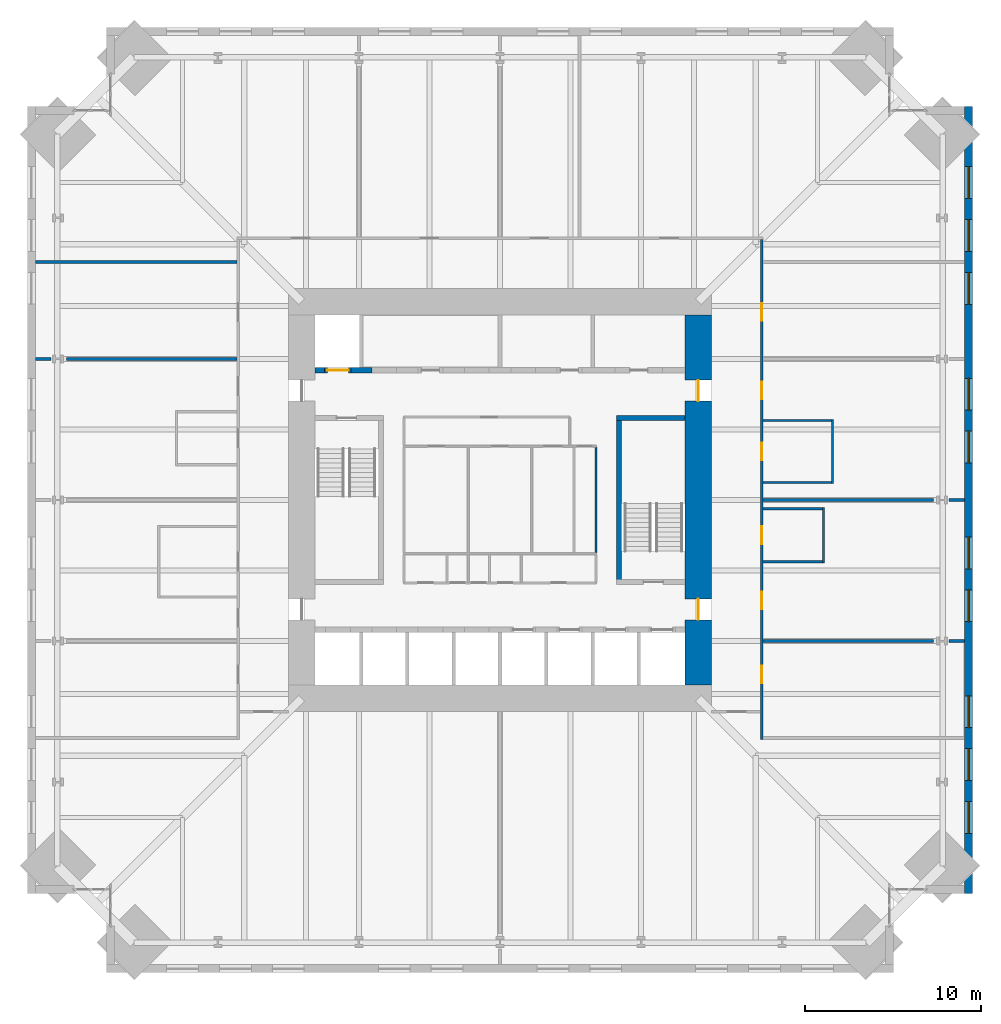
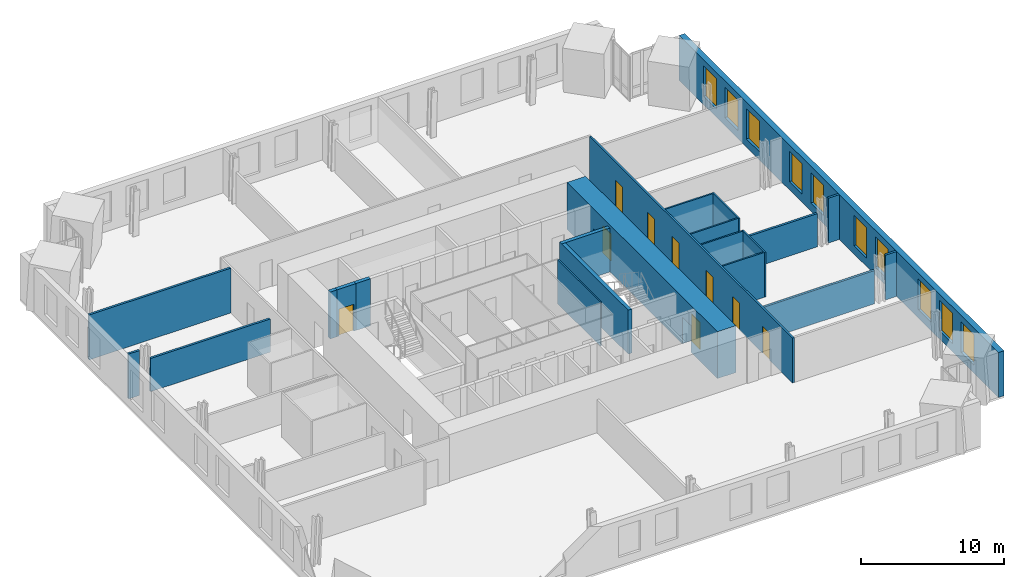
# One storey, part 14 of 17: 22 walls, 10 windows, 9 doors, 19 openings.
"""IFC4 building model written with IfcOpenShell, lengths in metres."""

from ifc_helpers import new_model, si_unit, direction, frame, frame_2d, origin, place, context, subcontext, project, spatial, rectangle, extrude, material, layer, layer_set, type_object, element, fill, save


model = new_model("IFC4")

# Units and contexts
model_context = context("Model", 3, precision=1e-05, world=origin(), true_north=direction((0.0, 1.0)))
body_context = subcontext(model_context, "Body", "Model", "MODEL_VIEW")
ifc_project = project(units=[si_unit("LENGTHUNIT", "METRE"), si_unit("AREAUNIT", "SQUARE_METRE"), si_unit("VOLUMEUNIT", "CUBIC_METRE"), si_unit("PLANEANGLEUNIT", "RADIAN"), si_unit("MASSUNIT", "GRAM", prefix="KILO")], contexts=[model_context])

# Site, building, storey
site_placement = place(None, origin())
site = spatial("IfcSite", under=ifc_project, at=site_placement, CompositionType="ELEMENT")
building_placement = place(site_placement, origin())
building = spatial("IfcBuilding", under=site, at=building_placement, Name="Peilmerk Tower", CompositionType="ELEMENT")
storey_placement = place(building_placement, frame((0.0, 0.0, 143.800048828125)))
storey = spatial("IfcBuildingStorey", under=building, at=storey_placement, Name="L29", CompositionType="ELEMENT", Elevation=143.800048828125)

# Wall, openings, windows
ifc_material_1 = material(Name="Precast concrete C45/55, board-marked finish", Category="concrete")
ifc_layer_1 = layer(ifc_material_1, 0.449951171875)
ifc_layer_set_1 = layer_set([ifc_layer_1], Name="Precast concrete C45/55, board-marked finish")
wall_type_1 = type_object("IfcWallType", Name="EW1 450 precast concrete facade wall, board-marked", PredefinedType="SOLIDWALL", material=ifc_layer_set_1)
wall_1_placement = place(storey_placement, frame((26.574951171875, -22.300048828125, 0.0), z_axis=(0.0, 0.0, 1.0), x_axis=(0.0, 1.0, 0.0)))
wall_1 = element("IfcWall", 1, at=wall_1_placement, inside=storey, type_object=wall_type_1, Name="Facade wall E L29", PredefinedType="SOLIDWALL", context=body_context, shape_type="SweptSolid", body=[
    extrude(rectangle(XDim=44.60009765625, YDim=0.449951171875, at=frame_2d((22.300048828125, 0.0))), origin(), (0.0, 0.0, 1.0), 3.829833984375),
])
opening_1_placement = place(wall_1_placement, frame((3.39990234375, 0.0, 0.699951171875)))
opening_1 = element("IfcOpeningElement", 2, at=opening_1_placement, cuts=wall_1, Name="Opening W1", PredefinedType="OPENING", context=body_context, shape_type="SweptSolid", body=[
    extrude(rectangle(XDim=1.800048828125, YDim=2.60009765625, at=frame_2d((0.89990234375, 1.300048828125))), frame((0.0, 0.23486328125, 0.0), z_axis=(0.0, -1.0, 0.0), x_axis=(1.0, 0.0, 0.0)), (0.0, 0.0, 1.0), 0.469970703125),
])
opening_2_placement = place(wall_1_placement, frame((6.39990234375, 0.0, 0.699951171875)))
opening_2 = element("IfcOpeningElement", 3, at=opening_2_placement, cuts=wall_1, Name="Opening W1", PredefinedType="OPENING", context=body_context, shape_type="SweptSolid", body=[
    extrude(rectangle(XDim=1.800048828125, YDim=2.60009765625, at=frame_2d((0.89990234375, 1.300048828125))), frame((0.0, 0.23486328125, 0.0), z_axis=(0.0, -1.0, 0.0), x_axis=(1.0, 0.0, 0.0)), (0.0, 0.0, 1.0), 0.469970703125),
])
opening_3_placement = place(wall_1_placement, frame((9.39990234375, 0.0, 0.699951171875)))
opening_3 = element("IfcOpeningElement", 4, at=opening_3_placement, cuts=wall_1, Name="Opening W1", PredefinedType="OPENING", context=body_context, shape_type="SweptSolid", body=[
    extrude(rectangle(XDim=1.800048828125, YDim=2.60009765625, at=frame_2d((0.89990234375, 1.300048828125))), frame((0.0, 0.23486328125, 0.0), z_axis=(0.0, -1.0, 0.0), x_axis=(1.0, 0.0, 0.0)), (0.0, 0.0, 1.0), 0.469970703125),
])
opening_4_placement = place(wall_1_placement, frame((15.39990234375, 0.0, 0.699951171875)))
opening_4 = element("IfcOpeningElement", 5, at=opening_4_placement, cuts=wall_1, Name="Opening W1", PredefinedType="OPENING", context=body_context, shape_type="SweptSolid", body=[
    extrude(rectangle(XDim=1.800048828125, YDim=2.60009765625, at=frame_2d((0.89990234375, 1.300048828125))), frame((0.0, 0.23486328125, 0.0), z_axis=(0.0, -1.0, 0.0), x_axis=(1.0, 0.0, 0.0)), (0.0, 0.0, 1.0), 0.469970703125),
])
opening_5_placement = place(wall_1_placement, frame((18.39990234375, 0.0, 0.699951171875)))
opening_5 = element("IfcOpeningElement", 6, at=opening_5_placement, cuts=wall_1, Name="Opening W1", PredefinedType="OPENING", context=body_context, shape_type="SweptSolid", body=[
    extrude(rectangle(XDim=1.800048828125, YDim=2.60009765625, at=frame_2d((0.89990234375, 1.300048828125))), frame((0.0, 0.23486328125, 0.0), z_axis=(0.0, -1.0, 0.0), x_axis=(1.0, 0.0, 0.0)), (0.0, 0.0, 1.0), 0.469970703125),
])
opening_6_placement = place(wall_1_placement, frame((24.39990234375, 0.0, 0.699951171875)))
opening_6 = element("IfcOpeningElement", 7, at=opening_6_placement, cuts=wall_1, Name="Opening W1", PredefinedType="OPENING", context=body_context, shape_type="SweptSolid", body=[
    extrude(rectangle(XDim=1.800048828125, YDim=2.60009765625, at=frame_2d((0.89990234375, 1.300048828125))), frame((0.0, 0.23486328125, 0.0), z_axis=(0.0, -1.0, 0.0), x_axis=(1.0, 0.0, 0.0)), (0.0, 0.0, 1.0), 0.469970703125),
])
opening_7_placement = place(wall_1_placement, frame((27.39990234375, 0.0, 0.699951171875)))
opening_7 = element("IfcOpeningElement", 8, at=opening_7_placement, cuts=wall_1, Name="Opening W1", PredefinedType="OPENING", context=body_context, shape_type="SweptSolid", body=[
    extrude(rectangle(XDim=1.800048828125, YDim=2.60009765625, at=frame_2d((0.89990234375, 1.300048828125))), frame((0.0, 0.23486328125, 0.0), z_axis=(0.0, -1.0, 0.0), x_axis=(1.0, 0.0, 0.0)), (0.0, 0.0, 1.0), 0.469970703125),
])
opening_8_placement = place(wall_1_placement, frame((33.39990234375, 0.0, 0.699951171875)))
opening_8 = element("IfcOpeningElement", 9, at=opening_8_placement, cuts=wall_1, Name="Opening W1", PredefinedType="OPENING", context=body_context, shape_type="SweptSolid", body=[
    extrude(rectangle(XDim=1.800048828125, YDim=2.60009765625, at=frame_2d((0.89990234375, 1.300048828125))), frame((0.0, 0.23486328125, 0.0), z_axis=(0.0, -1.0, 0.0), x_axis=(1.0, 0.0, 0.0)), (0.0, 0.0, 1.0), 0.469970703125),
])
opening_9_placement = place(wall_1_placement, frame((36.39990234375, 0.0, 0.699951171875)))
opening_9 = element("IfcOpeningElement", 10, at=opening_9_placement, cuts=wall_1, Name="Opening W1", PredefinedType="OPENING", context=body_context, shape_type="SweptSolid", body=[
    extrude(rectangle(XDim=1.800048828125, YDim=2.60009765625, at=frame_2d((0.89990234375, 1.300048828125))), frame((0.0, 0.23486328125, 0.0), z_axis=(0.0, -1.0, 0.0), x_axis=(1.0, 0.0, 0.0)), (0.0, 0.0, 1.0), 0.469970703125),
])
opening_10_placement = place(wall_1_placement, frame((39.39990234375, 0.0, 0.699951171875)))
opening_10 = element("IfcOpeningElement", 11, at=opening_10_placement, cuts=wall_1, Name="Opening W1", PredefinedType="OPENING", context=body_context, shape_type="SweptSolid", body=[
    extrude(rectangle(XDim=1.800048828125, YDim=2.60009765625, at=frame_2d((0.89990234375, 1.300048828125))), frame((0.0, 0.23486328125, 0.0), z_axis=(0.0, -1.0, 0.0), x_axis=(1.0, 0.0, 0.0)), (0.0, 0.0, 1.0), 0.469970703125),
])
ifc_material_2 = material(Name="Aluminium frame, clear double glazing", Category="aluminium")
window_type = type_object("IfcWindowType", Name="W1 1800x2600 office window", PartitioningType="SINGLE_PANEL", PredefinedType="WINDOW", material=ifc_material_2)
window_1_placement = place(opening_1_placement, origin())
window_1 = element("IfcWindow", 12, at=window_1_placement, inside=storey, type_object=window_type, Name="Window W1 L29", OverallHeight=2.60009765625, OverallWidth=1.800048828125, PartitioningType="SINGLE_PANEL", PredefinedType="WINDOW", context=body_context, shape_type="SweptSolid", body=[
    extrude(rectangle(XDim=1.800048828125, YDim=2.60009765625, at=frame_2d((0.89990234375, 1.300048828125))), frame((0.0, 0.030029296875, 0.0), z_axis=(0.0, -1.0, 0.0), x_axis=(1.0, 0.0, 0.0)), (0.0, 0.0, 1.0), 0.06005859375),
])
fill(opening_1, window_1)
window_2_placement = place(opening_2_placement, origin())
window_2 = element("IfcWindow", 13, at=window_2_placement, inside=storey, type_object=window_type, Name="Window W1 L29", OverallHeight=2.60009765625, OverallWidth=1.800048828125, PartitioningType="SINGLE_PANEL", PredefinedType="WINDOW", context=body_context, shape_type="SweptSolid", body=[
    extrude(rectangle(XDim=1.800048828125, YDim=2.60009765625, at=frame_2d((0.89990234375, 1.300048828125))), frame((0.0, 0.030029296875, 0.0), z_axis=(0.0, -1.0, 0.0), x_axis=(1.0, 0.0, 0.0)), (0.0, 0.0, 1.0), 0.06005859375),
])
fill(opening_2, window_2)
window_3_placement = place(opening_3_placement, origin())
window_3 = element("IfcWindow", 14, at=window_3_placement, inside=storey, type_object=window_type, Name="Window W1 L29", OverallHeight=2.60009765625, OverallWidth=1.800048828125, PartitioningType="SINGLE_PANEL", PredefinedType="WINDOW", context=body_context, shape_type="SweptSolid", body=[
    extrude(rectangle(XDim=1.800048828125, YDim=2.60009765625, at=frame_2d((0.89990234375, 1.300048828125))), frame((0.0, 0.030029296875, 0.0), z_axis=(0.0, -1.0, 0.0), x_axis=(1.0, 0.0, 0.0)), (0.0, 0.0, 1.0), 0.06005859375),
])
fill(opening_3, window_3)
window_4_placement = place(opening_4_placement, origin())
window_4 = element("IfcWindow", 15, at=window_4_placement, inside=storey, type_object=window_type, Name="Window W1 L29", OverallHeight=2.60009765625, OverallWidth=1.800048828125, PartitioningType="SINGLE_PANEL", PredefinedType="WINDOW", context=body_context, shape_type="SweptSolid", body=[
    extrude(rectangle(XDim=1.800048828125, YDim=2.60009765625, at=frame_2d((0.89990234375, 1.300048828125))), frame((0.0, 0.030029296875, 0.0), z_axis=(0.0, -1.0, 0.0), x_axis=(1.0, 0.0, 0.0)), (0.0, 0.0, 1.0), 0.06005859375),
])
fill(opening_4, window_4)
window_5_placement = place(opening_5_placement, origin())
window_5 = element("IfcWindow", 16, at=window_5_placement, inside=storey, type_object=window_type, Name="Window W1 L29", OverallHeight=2.60009765625, OverallWidth=1.800048828125, PartitioningType="SINGLE_PANEL", PredefinedType="WINDOW", context=body_context, shape_type="SweptSolid", body=[
    extrude(rectangle(XDim=1.800048828125, YDim=2.60009765625, at=frame_2d((0.89990234375, 1.300048828125))), frame((0.0, 0.030029296875, 0.0), z_axis=(0.0, -1.0, 0.0), x_axis=(1.0, 0.0, 0.0)), (0.0, 0.0, 1.0), 0.06005859375),
])
fill(opening_5, window_5)
window_6_placement = place(opening_6_placement, origin())
window_6 = element("IfcWindow", 17, at=window_6_placement, inside=storey, type_object=window_type, Name="Window W1 L29", OverallHeight=2.60009765625, OverallWidth=1.800048828125, PartitioningType="SINGLE_PANEL", PredefinedType="WINDOW", context=body_context, shape_type="SweptSolid", body=[
    extrude(rectangle(XDim=1.800048828125, YDim=2.60009765625, at=frame_2d((0.89990234375, 1.300048828125))), frame((0.0, 0.030029296875, 0.0), z_axis=(0.0, -1.0, 0.0), x_axis=(1.0, 0.0, 0.0)), (0.0, 0.0, 1.0), 0.06005859375),
])
fill(opening_6, window_6)
window_7_placement = place(opening_7_placement, origin())
window_7 = element("IfcWindow", 18, at=window_7_placement, inside=storey, type_object=window_type, Name="Window W1 L29", OverallHeight=2.60009765625, OverallWidth=1.800048828125, PartitioningType="SINGLE_PANEL", PredefinedType="WINDOW", context=body_context, shape_type="SweptSolid", body=[
    extrude(rectangle(XDim=1.800048828125, YDim=2.60009765625, at=frame_2d((0.89990234375, 1.300048828125))), frame((0.0, 0.030029296875, 0.0), z_axis=(0.0, -1.0, 0.0), x_axis=(1.0, 0.0, 0.0)), (0.0, 0.0, 1.0), 0.06005859375),
])
fill(opening_7, window_7)
window_8_placement = place(opening_8_placement, origin())
window_8 = element("IfcWindow", 19, at=window_8_placement, inside=storey, type_object=window_type, Name="Window W1 L29", OverallHeight=2.60009765625, OverallWidth=1.800048828125, PartitioningType="SINGLE_PANEL", PredefinedType="WINDOW", context=body_context, shape_type="SweptSolid", body=[
    extrude(rectangle(XDim=1.800048828125, YDim=2.60009765625, at=frame_2d((0.89990234375, 1.300048828125))), frame((0.0, 0.030029296875, 0.0), z_axis=(0.0, -1.0, 0.0), x_axis=(1.0, 0.0, 0.0)), (0.0, 0.0, 1.0), 0.06005859375),
])
fill(opening_8, window_8)
window_9_placement = place(opening_9_placement, origin())
window_9 = element("IfcWindow", 20, at=window_9_placement, inside=storey, type_object=window_type, Name="Window W1 L29", OverallHeight=2.60009765625, OverallWidth=1.800048828125, PartitioningType="SINGLE_PANEL", PredefinedType="WINDOW", context=body_context, shape_type="SweptSolid", body=[
    extrude(rectangle(XDim=1.800048828125, YDim=2.60009765625, at=frame_2d((0.89990234375, 1.300048828125))), frame((0.0, 0.030029296875, 0.0), z_axis=(0.0, -1.0, 0.0), x_axis=(1.0, 0.0, 0.0)), (0.0, 0.0, 1.0), 0.06005859375),
])
fill(opening_9, window_9)
window_10_placement = place(opening_10_placement, origin())
window_10 = element("IfcWindow", 21, at=window_10_placement, inside=storey, type_object=window_type, Name="Window W1 L29", OverallHeight=2.60009765625, OverallWidth=1.800048828125, PartitioningType="SINGLE_PANEL", PredefinedType="WINDOW", context=body_context, shape_type="SweptSolid", body=[
    extrude(rectangle(XDim=1.800048828125, YDim=2.60009765625, at=frame_2d((0.89990234375, 1.300048828125))), frame((0.0, 0.030029296875, 0.0), z_axis=(0.0, -1.0, 0.0), x_axis=(1.0, 0.0, 0.0)), (0.0, 0.0, 1.0), 0.06005859375),
])
fill(opening_10, window_10)

# Wall, openings, doors
ifc_material_3 = material(Name="Calcium silicate block", Category="masonry")
ifc_layer_2 = layer(ifc_material_3, 0.14990234375)
ifc_layer_set_2 = layer_set([ifc_layer_2], Name="Calcium silicate block")
wall_type_2 = type_object("IfcWallType", Name="IW1 150 corridor partition, EI 60", PredefinedType="PARTITIONING", material=ifc_layer_set_2)
wall_2_placement = place(storey_placement, frame((14.85009765625, -13.574951171875, 0.0), z_axis=(0.0, 0.0, 1.0), x_axis=(0.0, 1.0, 0.0)))
wall_2 = element("IfcWall", 22, at=wall_2_placement, inside=storey, type_object=wall_type_2, Name="Corridor wall E L29", PredefinedType="PARTITIONING", context=body_context, shape_type="SweptSolid", body=[
    extrude(rectangle(XDim=28.349853515625, YDim=0.14990234375, at=frame_2d((14.1748046875, 0.0))), origin(), (0.0, 0.0, 1.0), 3.829833984375),
])
opening_11_placement = place(wall_2_placement, frame((3.175048828125, 0.0, 0.0)))
opening_11 = element("IfcOpeningElement", 23, at=opening_11_placement, cuts=wall_2, Name="Opening D1", PredefinedType="OPENING", context=body_context, shape_type="SweptSolid", body=[
    extrude(rectangle(XDim=1.0, YDim=2.300048828125, at=frame_2d((0.5, 1.14990234375))), frame((0.0, 0.0849609375, 0.0), z_axis=(0.0, -1.0, 0.0), x_axis=(1.0, 0.0, 0.0)), (0.0, 0.0, 1.0), 0.169921875),
])
opening_12_placement = place(wall_2_placement, frame((7.375, 0.0, 0.0)))
opening_12 = element("IfcOpeningElement", 24, at=opening_12_placement, cuts=wall_2, Name="Opening D1", PredefinedType="OPENING", context=body_context, shape_type="SweptSolid", body=[
    extrude(rectangle(XDim=1.0, YDim=2.300048828125, at=frame_2d((0.5, 1.14990234375))), frame((0.0, 0.0849609375, 0.0), z_axis=(0.0, -1.0, 0.0), x_axis=(1.0, 0.0, 0.0)), (0.0, 0.0, 1.0), 0.169921875),
])
opening_13_placement = place(wall_2_placement, frame((19.27490234375, 0.0, 0.0)))
opening_13 = element("IfcOpeningElement", 25, at=opening_13_placement, cuts=wall_2, Name="Opening D1", PredefinedType="OPENING", context=body_context, shape_type="SweptSolid", body=[
    extrude(rectangle(XDim=1.0, YDim=2.300048828125, at=frame_2d((0.5, 1.14990234375))), frame((0.0, 0.0849609375, 0.0), z_axis=(0.0, -1.0, 0.0), x_axis=(1.0, 0.0, 0.0)), (0.0, 0.0, 1.0), 0.169921875),
])
opening_14_placement = place(wall_2_placement, frame((23.72509765625, 0.0, 0.0)))
opening_14 = element("IfcOpeningElement", 26, at=opening_14_placement, cuts=wall_2, Name="Opening D1", PredefinedType="OPENING", context=body_context, shape_type="SweptSolid", body=[
    extrude(rectangle(XDim=1.0, YDim=2.300048828125, at=frame_2d((0.5, 1.14990234375))), frame((0.0, 0.0849609375, 0.0), z_axis=(0.0, -1.0, 0.0), x_axis=(1.0, 0.0, 0.0)), (0.0, 0.0, 1.0), 0.169921875),
])
opening_15_placement = place(wall_2_placement, frame((15.824951171875, 0.0, 0.0)))
opening_15 = element("IfcOpeningElement", 27, at=opening_15_placement, cuts=wall_2, Name="Opening D1", PredefinedType="OPENING", context=body_context, shape_type="SweptSolid", body=[
    extrude(rectangle(XDim=1.0, YDim=2.300048828125, at=frame_2d((0.5, 1.14990234375))), frame((0.0, 0.0849609375, 0.0), z_axis=(0.0, -1.0, 0.0), x_axis=(1.0, 0.0, 0.0)), (0.0, 0.0, 1.0), 0.169921875),
])
opening_16_placement = place(wall_2_placement, frame((11.074951171875, 0.0, 0.0)))
opening_16 = element("IfcOpeningElement", 28, at=opening_16_placement, cuts=wall_2, Name="Opening D1", PredefinedType="OPENING", context=body_context, shape_type="SweptSolid", body=[
    extrude(rectangle(XDim=1.0, YDim=2.300048828125, at=frame_2d((0.5, 1.14990234375))), frame((0.0, 0.0849609375, 0.0), z_axis=(0.0, -1.0, 0.0), x_axis=(1.0, 0.0, 0.0)), (0.0, 0.0, 1.0), 0.169921875),
])
ifc_material_4 = material(Name="Timber door in steel frame", Category="steel")
door_type_1 = type_object("IfcDoorType", Name="D1 1000x2300 room door, EI2 30", OperationType="SINGLE_SWING_LEFT", PredefinedType="DOOR", material=ifc_material_4)
door_1_placement = place(opening_11_placement, frame((1.0, 0.0, 0.0), z_axis=(0.0, 0.0, 1.0), x_axis=(-1.0, 0.0, 0.0)))
door_1 = element("IfcDoor", 29, at=door_1_placement, inside=storey, type_object=door_type_1, Name="Door Project room L29", OperationType="SINGLE_SWING_LEFT", OverallHeight=2.300048828125, OverallWidth=1.0, PredefinedType="DOOR", context=body_context, shape_type="SweptSolid", body=[
    extrude(rectangle(XDim=1.0, YDim=2.300048828125, at=frame_2d((0.5, 1.14990234375))), frame((0.0, 0.02490234375, 0.0), z_axis=(0.0, -1.0, 0.0), x_axis=(1.0, 0.0, 0.0)), (0.0, 0.0, 1.0), 0.050048828125),
])
fill(opening_11, door_1)
door_2_placement = place(opening_12_placement, frame((1.0, 0.0, 0.0), z_axis=(0.0, 0.0, 1.0), x_axis=(-1.0, 0.0, 0.0)))
door_2 = element("IfcDoor", 30, at=door_2_placement, inside=storey, type_object=door_type_1, Name="Door Team workspace L29", OperationType="SINGLE_SWING_LEFT", OverallHeight=2.300048828125, OverallWidth=1.0, PredefinedType="DOOR", context=body_context, shape_type="SweptSolid", body=[
    extrude(rectangle(XDim=1.0, YDim=2.300048828125, at=frame_2d((0.5, 1.14990234375))), frame((0.0, 0.02490234375, 0.0), z_axis=(0.0, -1.0, 0.0), x_axis=(1.0, 0.0, 0.0)), (0.0, 0.0, 1.0), 0.050048828125),
])
fill(opening_12, door_2)
door_3_placement = place(opening_13_placement, frame((1.0, 0.0, 0.0), z_axis=(0.0, 0.0, 1.0), x_axis=(-1.0, 0.0, 0.0)))
door_3 = element("IfcDoor", 31, at=door_3_placement, inside=storey, type_object=door_type_1, Name="Door Team workspace L29", OperationType="SINGLE_SWING_LEFT", OverallHeight=2.300048828125, OverallWidth=1.0, PredefinedType="DOOR", context=body_context, shape_type="SweptSolid", body=[
    extrude(rectangle(XDim=1.0, YDim=2.300048828125, at=frame_2d((0.5, 1.14990234375))), frame((0.0, 0.02490234375, 0.0), z_axis=(0.0, -1.0, 0.0), x_axis=(1.0, 0.0, 0.0)), (0.0, 0.0, 1.0), 0.050048828125),
])
fill(opening_13, door_3)
door_4_placement = place(opening_14_placement, frame((1.0, 0.0, 0.0), z_axis=(0.0, 0.0, 1.0), x_axis=(-1.0, 0.0, 0.0)))
door_4 = element("IfcDoor", 32, at=door_4_placement, inside=storey, type_object=door_type_1, Name="Door Team workspace L29", OperationType="SINGLE_SWING_LEFT", OverallHeight=2.300048828125, OverallWidth=1.0, PredefinedType="DOOR", context=body_context, shape_type="SweptSolid", body=[
    extrude(rectangle(XDim=1.0, YDim=2.300048828125, at=frame_2d((0.5, 1.14990234375))), frame((0.0, 0.02490234375, 0.0), z_axis=(0.0, -1.0, 0.0), x_axis=(1.0, 0.0, 0.0)), (0.0, 0.0, 1.0), 0.050048828125),
])
fill(opening_14, door_4)
door_5_placement = place(opening_15_placement, frame((1.0, 0.0, 0.0), z_axis=(0.0, 0.0, 1.0), x_axis=(-1.0, 0.0, 0.0)))
door_5 = element("IfcDoor", 33, at=door_5_placement, inside=storey, type_object=door_type_1, Name="Door Pantry L29", OperationType="SINGLE_SWING_LEFT", OverallHeight=2.300048828125, OverallWidth=1.0, PredefinedType="DOOR", context=body_context, shape_type="SweptSolid", body=[
    extrude(rectangle(XDim=1.0, YDim=2.300048828125, at=frame_2d((0.5, 1.14990234375))), frame((0.0, 0.02490234375, 0.0), z_axis=(0.0, -1.0, 0.0), x_axis=(1.0, 0.0, 0.0)), (0.0, 0.0, 1.0), 0.050048828125),
])
fill(opening_15, door_5)
door_6_placement = place(opening_16_placement, frame((1.0, 0.0, 0.0), z_axis=(0.0, 0.0, 1.0), x_axis=(-1.0, 0.0, 0.0)))
door_6 = element("IfcDoor", 34, at=door_6_placement, inside=storey, type_object=door_type_1, Name="Door Focus room L29", OperationType="SINGLE_SWING_LEFT", OverallHeight=2.300048828125, OverallWidth=1.0, PredefinedType="DOOR", context=body_context, shape_type="SweptSolid", body=[
    extrude(rectangle(XDim=1.0, YDim=2.300048828125, at=frame_2d((0.5, 1.14990234375))), frame((0.0, 0.02490234375, 0.0), z_axis=(0.0, -1.0, 0.0), x_axis=(1.0, 0.0, 0.0)), (0.0, 0.0, 1.0), 0.050048828125),
])
fill(opening_16, door_6)

# Walls
ifc_material_5 = material(Name="Concrete C35/45", Category="concrete")
ifc_layer_3 = layer(ifc_material_5, 0.300048828125)
ifc_layer_set_3 = layer_set([ifc_layer_3], Name="Concrete C35/45")
wall_type_3 = type_object("IfcWallType", Name="IW3 300 concrete stair enclosure wall, EI 120", PredefinedType="SOLIDWALL", material=ifc_layer_set_3)
wall_3_placement = place(storey_placement, frame((6.75, -4.800048828125, 0.0), z_axis=(0.0, 0.0, 1.0), x_axis=(0.0, 1.0, 0.0)))
element("IfcWall", 35, at=wall_3_placement, inside=storey, type_object=wall_type_3, Name="Stair 2 enclosure L29", PredefinedType="SOLIDWALL", context=body_context, shape_type="SweptSolid", body=[
    extrude(rectangle(XDim=9.60009765625, YDim=0.300048828125, at=frame_2d((4.800048828125, 0.0))), origin(), (0.0, 0.0, 1.0), 3.75),
])
wall_4_placement = place(storey_placement, frame((6.60009765625, 4.64990234375, 0.0), z_axis=(0.0, 0.0, 1.0), x_axis=(1.0, 0.0, 0.0)))
element("IfcWall", 36, at=wall_4_placement, inside=storey, type_object=wall_type_3, Name="Stair 2 enclosure L29", PredefinedType="SOLIDWALL", context=body_context, shape_type="SweptSolid", body=[
    extrude(rectangle(XDim=3.89990234375, YDim=0.300048828125, at=frame_2d((1.949951171875, 0.0))), origin(), (0.0, 0.0, 1.0), 3.75),
])
ifc_material_6 = material(Name="Calcium silicate board on steel studs", Category="steel")
ifc_layer_4 = layer(ifc_material_6, 0.10009765625)
ifc_layer_set_4 = layer_set([ifc_layer_4], Name="Calcium silicate board on steel studs")
wall_type_4 = type_object("IfcWallType", Name="IW5 100 riser enclosure wall, EI 60", PredefinedType="PARTITIONING", material=ifc_layer_set_4)
wall_5_placement = place(storey_placement, frame((5.449951171875, 3.0, 0.0), z_axis=(0.0, 0.0, 1.0), x_axis=(0.0, -1.0, 0.0)))
element("IfcWall", 37, at=wall_5_placement, inside=storey, type_object=wall_type_4, Name="Riser wall L29", PredefinedType="PARTITIONING", context=body_context, shape_type="SweptSolid", body=[
    extrude(rectangle(XDim=6.0, YDim=0.10009765625, at=frame_2d((3.0, 0.0))), origin(), (0.0, 0.0, 1.0), 3.75),
])
ifc_material_7 = material(Name="Plasterboard on steel studs, double boarded with mineral wool", Category="steel")
ifc_layer_5 = layer(ifc_material_7, 0.125)
ifc_layer_set_5 = layer_set([ifc_layer_5], Name="Plasterboard on steel studs, double boarded with mineral wool")
wall_type_5 = type_object("IfcWallType", Name="IW7 125 acoustic partition, EI 30", PredefinedType="PARTITIONING", material=ifc_layer_set_5)
wall_6_placement = place(storey_placement, frame((18.85009765625, 0.9375, 0.0), z_axis=(0.0, 0.0, 1.0), x_axis=(0.0, 1.0, 0.0)))
element("IfcWall", 38, at=wall_6_placement, inside=storey, type_object=wall_type_5, Name="Acoustic partition Pantry L29", PredefinedType="PARTITIONING", context=body_context, shape_type="SweptSolid", body=[
    extrude(rectangle(XDim=3.625, YDim=0.125, at=frame_2d((1.8125, 0.0))), origin(), (0.0, 0.0, 1.0), 3.829833984375),
])
for number, where, z_axis, x_axis, name in (
    (39, (14.925048828125, 1.0, 0.0), (0.0, 0.0, 1.0), (1.0, 0.0, 0.0), "Acoustic partition Pantry L29"),
    (40, (14.925048828125, 4.5, 0.0), (0.0, 0.0, 1.0), (1.0, 0.0, 0.0), "Acoustic partition Pantry L29"),
):
    element("IfcWall", number, at=place(storey_placement, frame(where, z_axis=z_axis, x_axis=x_axis)), inside=storey, type_object=wall_type_5, Name=name, PredefinedType="PARTITIONING", context=body_context, shape_type="SweptSolid", body=[
        extrude(rectangle(XDim=3.862548828125, YDim=0.125, at=frame_2d((1.93115234375, 0.0))), origin(), (0.0, 0.0, 1.0), 3.829833984375),
    ])
wall_7_placement = place(storey_placement, frame((18.35009765625, -3.5625, 0.0), z_axis=(0.0, 0.0, 1.0), x_axis=(0.0, 1.0, 0.0)))
element("IfcWall", 41, at=wall_7_placement, inside=storey, type_object=wall_type_5, Name="Acoustic partition Focus room L29", PredefinedType="PARTITIONING", context=body_context, shape_type="SweptSolid", body=[
    extrude(rectangle(XDim=3.125, YDim=0.125, at=frame_2d((1.5625, 0.0))), origin(), (0.0, 0.0, 1.0), 3.829833984375),
])
for number, where, z_axis, x_axis, name in (
    (42, (14.925048828125, -3.5, 0.0), (0.0, 0.0, 1.0), (1.0, 0.0, 0.0), "Acoustic partition Focus room L29"),
    (43, (14.925048828125, -0.5, 0.0), (0.0, 0.0, 1.0), (1.0, 0.0, 0.0), "Acoustic partition Focus room L29"),
):
    element("IfcWall", number, at=place(storey_placement, frame(where, z_axis=z_axis, x_axis=x_axis)), inside=storey, type_object=wall_type_5, Name=name, PredefinedType="PARTITIONING", context=body_context, shape_type="SweptSolid", body=[
        extrude(rectangle(XDim=3.362548828125, YDim=0.125, at=frame_2d((1.68115234375, 0.0))), origin(), (0.0, 0.0, 1.0), 3.829833984375),
    ])
ifc_layer_6 = layer(ifc_material_3, 0.175048828125)
ifc_layer_set_6 = layer_set([ifc_layer_6], Name="Calcium silicate block")
wall_type_6 = type_object("IfcWallType", Name="IW8 175 tenant separating wall, EI 60", PredefinedType="PARTITIONING", material=ifc_layer_set_6)
wall_8_placement = place(storey_placement, frame((-26.35009765625, 13.5, 0.0), z_axis=(0.0, 0.0, 1.0), x_axis=(1.0, 0.0, 0.0)))
element("IfcWall", 44, at=wall_8_placement, inside=storey, type_object=wall_type_6, Name="Tenant separating wall NW L29", PredefinedType="PARTITIONING", context=body_context, shape_type="SweptSolid", body=[
    extrude(rectangle(XDim=11.425048828125, YDim=0.175048828125, at=frame_2d((5.71240234375, 0.0))), origin(), (0.0, 0.0, 1.0), 3.829833984375),
])
wall_9_placement = place(storey_placement, frame((14.925048828125, -8.0, 0.0), z_axis=(0.0, 0.0, 1.0), x_axis=(1.0, 0.0, 0.0)))
element("IfcWall", 45, at=wall_9_placement, inside=storey, type_object=wall_type_6, Name="Tenant separating wall E1 L29", PredefinedType="PARTITIONING", context=body_context, shape_type="SweptSolid", body=[
    extrude(rectangle(XDim=9.648193359375, YDim=0.175048828125, at=frame_2d((4.82421875, 0.0))), origin(), (0.0, 0.0, 1.0), 2.829833984375),
])
wall_10_placement = place(storey_placement, frame((25.46240234375, -8.0, 0.0), z_axis=(0.0, 0.0, 1.0), x_axis=(1.0, 0.0, 0.0)))
element("IfcWall", 46, at=wall_10_placement, inside=storey, type_object=wall_type_6, Name="Tenant separating wall E1b L29", PredefinedType="PARTITIONING", context=body_context, shape_type="SweptSolid", body=[
    extrude(rectangle(XDim=0.8876953125, YDim=0.175048828125, at=frame_2d((0.44384765625, 0.0))), origin(), (0.0, 0.0, 1.0), 3.829833984375),
])
wall_11_placement = place(storey_placement, frame((14.925048828125, 0.0, 0.0), z_axis=(0.0, 0.0, 1.0), x_axis=(1.0, 0.0, 0.0)))
element("IfcWall", 47, at=wall_11_placement, inside=storey, type_object=wall_type_6, Name="Tenant separating wall E2 L29", PredefinedType="PARTITIONING", context=body_context, shape_type="SweptSolid", body=[
    extrude(rectangle(XDim=9.648193359375, YDim=0.175048828125, at=frame_2d((4.82421875, 0.0))), origin(), (0.0, 0.0, 1.0), 2.829833984375),
])
wall_12_placement = place(storey_placement, frame((25.46240234375, 0.0, 0.0), z_axis=(0.0, 0.0, 1.0), x_axis=(1.0, 0.0, 0.0)))
element("IfcWall", 48, at=wall_12_placement, inside=storey, type_object=wall_type_6, Name="Tenant separating wall E2b L29", PredefinedType="PARTITIONING", context=body_context, shape_type="SweptSolid", body=[
    extrude(rectangle(XDim=0.8876953125, YDim=0.175048828125, at=frame_2d((0.44384765625, 0.0))), origin(), (0.0, 0.0, 1.0), 3.829833984375),
])
wall_13_placement = place(storey_placement, frame((-14.925048828125, 8.0, 0.0), z_axis=(0.0, 0.0, 1.0), x_axis=(-1.0, 0.0, 0.0)))
element("IfcWall", 49, at=wall_13_placement, inside=storey, type_object=wall_type_6, Name="Tenant separating wall W3 L29", PredefinedType="PARTITIONING", context=body_context, shape_type="SweptSolid", body=[
    extrude(rectangle(XDim=9.648193359375, YDim=0.175048828125, at=frame_2d((4.82421875, 0.0))), origin(), (0.0, 0.0, 1.0), 2.829833984375),
])
wall_14_placement = place(storey_placement, frame((-25.46240234375, 8.0, 0.0), z_axis=(0.0, 0.0, 1.0), x_axis=(-1.0, 0.0, 0.0)))
element("IfcWall", 50, at=wall_14_placement, inside=storey, type_object=wall_type_6, Name="Tenant separating wall W3b L29", PredefinedType="PARTITIONING", context=body_context, shape_type="SweptSolid", body=[
    extrude(rectangle(XDim=0.8876953125, YDim=0.175048828125, at=frame_2d((0.44384765625, 0.0))), origin(), (0.0, 0.0, 1.0), 3.829833984375),
])

# Wall, opening, door
ifc_layer_7 = layer(ifc_material_3, 0.300048828125)
ifc_layer_set_7 = layer_set([ifc_layer_7], Name="Calcium silicate block")
wall_type_7 = type_object("IfcWallType", Name="SH2 300 lift landing door panel, EI 120", PredefinedType="PARTITIONING", material=ifc_layer_set_7)
wall_15_placement = place(storey_placement, frame((-9.9375, 7.35009765625, 0.0), z_axis=(0.0, 0.0, 1.0), x_axis=(1.0, 0.0, 0.0)))
wall_15 = element("IfcWall", 51, at=wall_15_placement, inside=storey, type_object=wall_type_7, Name="Lift door panel N FL1 L29", PredefinedType="PARTITIONING", context=body_context, shape_type="SweptSolid", body=[
    extrude(rectangle(XDim=1.5, YDim=0.300048828125, at=frame_2d((0.75, 0.0))), origin(), (0.0, 0.0, 1.0), 4.0),
])
opening_17_placement = place(wall_15_placement, frame((0.14990234375, 0.0, 0.0)))
opening_17 = element("IfcOpeningElement", 52, at=opening_17_placement, cuts=wall_15, Name="Opening LD2", PredefinedType="OPENING", context=body_context, shape_type="SweptSolid", body=[
    extrude(rectangle(XDim=1.199951171875, YDim=2.300048828125, at=frame_2d((0.60009765625, 1.14990234375))), frame((0.0, 0.159912109375, 0.0), z_axis=(0.0, -1.0, 0.0), x_axis=(1.0, 0.0, 0.0)), (0.0, 0.0, 1.0), 0.320068359375),
])
ifc_material_8 = material(Name="Stainless steel landing door", Category="steel")
door_type_2 = type_object("IfcDoorType", Name="LD2 1200x2300 lift landing door, sliding, EI2 60", OperationType="SLIDING_TO_LEFT", PredefinedType="DOOR", material=ifc_material_8)
door_7_placement = place(opening_17_placement, frame((1.199951171875, 0.0, 0.0), z_axis=(0.0, 0.0, 1.0), x_axis=(-1.0, 0.0, 0.0)))
door_7 = element("IfcDoor", 53, at=door_7_placement, inside=storey, type_object=door_type_2, Name="Lift landing door FL1 L29", OperationType="SLIDING_TO_LEFT", OverallHeight=2.300048828125, OverallWidth=1.199951171875, PredefinedType="DOOR", context=body_context, shape_type="SweptSolid", body=[
    extrude(rectangle(XDim=1.199951171875, YDim=2.300048828125, at=frame_2d((0.60009765625, 1.14990234375))), frame((0.0, 0.02490234375, 0.0), z_axis=(0.0, -1.0, 0.0), x_axis=(1.0, 0.0, 0.0)), (0.0, 0.0, 1.0), 0.050048828125),
])
fill(opening_17, door_7)

# Wall, openings, doors
ifc_material_9 = material(Name="Concrete C55/67", Category="concrete")
ifc_layer_8 = layer(ifc_material_9, 1.5)
ifc_layer_set_8 = layer_set([ifc_layer_8], Name="Concrete C55/67")
wall_type_8 = type_object("IfcWallType", Name="SW1 1500 core wall", PredefinedType="SHEAR", material=ifc_layer_set_8)
wall_16_placement = place(storey_placement, frame((11.25, 10.5, 0.0), z_axis=(0.0, 0.0, 1.0), x_axis=(0.0, -1.0, 0.0)))
wall_16 = element("IfcWall", 54, at=wall_16_placement, inside=storey, type_object=wall_type_8, Name="Core wall E L29", PredefinedType="SHEAR", context=body_context, shape_type="SweptSolid", body=[
    extrude(rectangle(XDim=21.0, YDim=1.5, at=frame_2d((10.5, 0.0))), origin(), (0.0, 0.0, 1.0), 4.0),
])
opening_18_placement = place(wall_16_placement, frame((3.699951171875, 0.0, 0.0)))
opening_18 = element("IfcOpeningElement", 55, at=opening_18_placement, cuts=wall_16, Name="Opening D3", PredefinedType="OPENING", context=body_context, shape_type="SweptSolid", body=[
    extrude(rectangle(XDim=1.199951171875, YDim=2.300048828125, at=frame_2d((0.60009765625, 1.14990234375))), frame((0.0, 0.760009765625, 0.0), z_axis=(0.0, -1.0, 0.0), x_axis=(1.0, 0.0, 0.0)), (0.0, 0.0, 1.0), 1.52001953125),
])
opening_19_placement = place(wall_16_placement, frame((16.10009765625, 0.0, 0.0)))
opening_19 = element("IfcOpeningElement", 56, at=opening_19_placement, cuts=wall_16, Name="Opening D3", PredefinedType="OPENING", context=body_context, shape_type="SweptSolid", body=[
    extrude(rectangle(XDim=1.199951171875, YDim=2.300048828125, at=frame_2d((0.60009765625, 1.14990234375))), frame((0.0, 0.760009765625, 0.0), z_axis=(0.0, -1.0, 0.0), x_axis=(1.0, 0.0, 0.0)), (0.0, 0.0, 1.0), 1.52001953125),
])
ifc_material_10 = material(Name="Steel door in steel frame", Category="steel")
door_type_3 = type_object("IfcDoorType", Name="D3 1200x2300 core door, EI2 60", OperationType="SINGLE_SWING_LEFT", PredefinedType="DOOR", material=ifc_material_10)
door_8_placement = place(opening_18_placement, frame((1.199951171875, 0.0, 0.0), z_axis=(0.0, 0.0, 1.0), x_axis=(-1.0, 0.0, 0.0)))
door_8 = element("IfcDoor", 57, at=door_8_placement, inside=storey, type_object=door_type_3, Name="Core door L29", OperationType="SINGLE_SWING_LEFT", OverallHeight=2.300048828125, OverallWidth=1.199951171875, PredefinedType="DOOR", context=body_context, shape_type="SweptSolid", body=[
    extrude(rectangle(XDim=1.199951171875, YDim=2.300048828125, at=frame_2d((0.60009765625, 1.14990234375))), frame((0.0, 0.02490234375, 0.0), z_axis=(0.0, -1.0, 0.0), x_axis=(1.0, 0.0, 0.0)), (0.0, 0.0, 1.0), 0.050048828125),
])
fill(opening_18, door_8)
door_9_placement = place(opening_19_placement, frame((1.199951171875, 0.0, 0.0), z_axis=(0.0, 0.0, 1.0), x_axis=(-1.0, 0.0, 0.0)))
door_9 = element("IfcDoor", 58, at=door_9_placement, inside=storey, type_object=door_type_3, Name="Core door L29", OperationType="SINGLE_SWING_LEFT", OverallHeight=2.300048828125, OverallWidth=1.199951171875, PredefinedType="DOOR", context=body_context, shape_type="SweptSolid", body=[
    extrude(rectangle(XDim=1.199951171875, YDim=2.300048828125, at=frame_2d((0.60009765625, 1.14990234375))), frame((0.0, 0.02490234375, 0.0), z_axis=(0.0, -1.0, 0.0), x_axis=(1.0, 0.0, 0.0)), (0.0, 0.0, 1.0), 0.050048828125),
])
fill(opening_19, door_9)

# Walls
ifc_layer_9 = layer(ifc_material_9, 0.300048828125)
ifc_layer_set_9 = layer_set([ifc_layer_9], Name="Concrete C55/67")
wall_type_9 = type_object("IfcWallType", Name="SW2 300 lift bank pier", PredefinedType="SHEAR", material=ifc_layer_set_9)
wall_17_placement = place(storey_placement, frame((-10.5, 7.35009765625, 0.0), z_axis=(0.0, 0.0, 1.0), x_axis=(1.0, 0.0, 0.0)))
element("IfcWall", 59, at=wall_17_placement, inside=storey, type_object=wall_type_9, Name="Lift bank pier N L29", PredefinedType="SHEAR", context=body_context, shape_type="SweptSolid", body=[
    extrude(rectangle(XDim=0.5625, YDim=0.300048828125, at=frame_2d((0.28125, 0.0))), origin(), (0.0, 0.0, 1.0), 4.0),
])
wall_18_placement = place(storey_placement, frame((-8.4375, 7.35009765625, 0.0), z_axis=(0.0, 0.0, 1.0), x_axis=(1.0, 0.0, 0.0)))
element("IfcWall", 60, at=wall_18_placement, inside=storey, type_object=wall_type_9, Name="Lift bank pier N L29", PredefinedType="SHEAR", context=body_context, shape_type="SweptSolid", body=[
    extrude(rectangle(XDim=1.175048828125, YDim=0.300048828125, at=frame_2d((0.58740234375, 0.0))), origin(), (0.0, 0.0, 1.0), 4.0),
])

save(model, "model.ifc")
